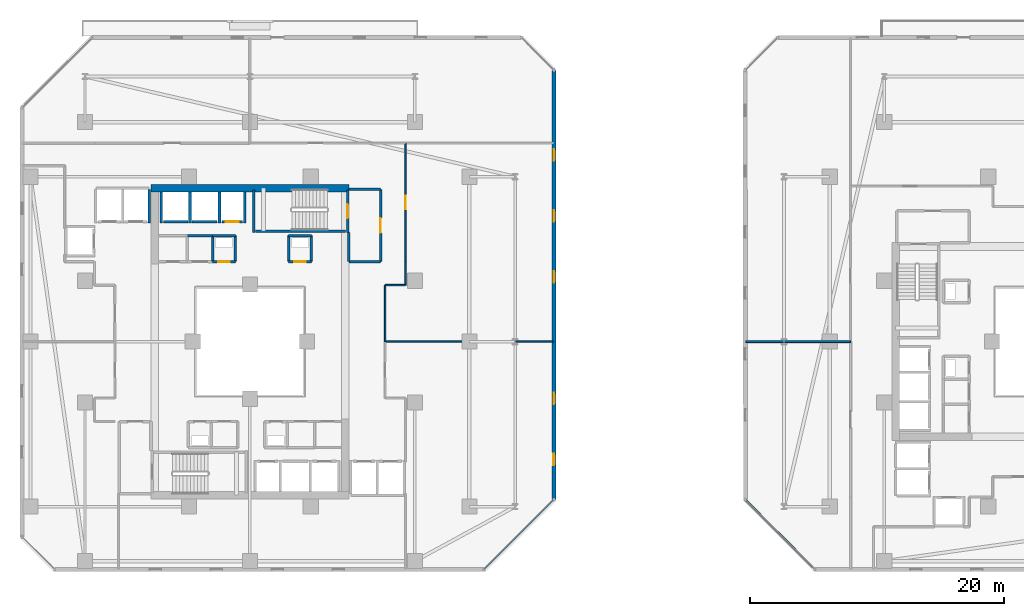
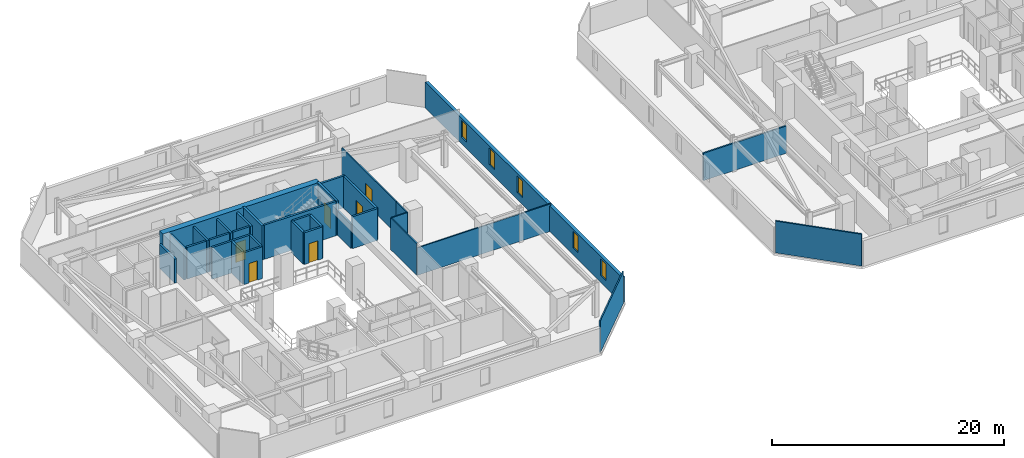
# One storey, part 18 of 29: 34 walls, 6 doors, 5 windows, 11 openings.
"""IFC4 building model written with IfcOpenShell, lengths in metres."""

from ifc_helpers import new_model, si_unit, direction, frame, frame_2d, origin, place, context, subcontext, project, spatial, rectangle, extrude, material, layer, layer_set, type_object, element, fill, save


model = new_model("IFC4")

# Units and contexts
model_context = context("Model", 3, precision=1e-05, world=origin(), true_north=direction((0.0, 1.0)))
body_context = subcontext(model_context, "Body", "Model", "MODEL_VIEW")
ifc_project = project(units=[si_unit("LENGTHUNIT", "METRE"), si_unit("AREAUNIT", "SQUARE_METRE"), si_unit("VOLUMEUNIT", "CUBIC_METRE"), si_unit("PLANEANGLEUNIT", "RADIAN"), si_unit("MASSUNIT", "GRAM", prefix="KILO")], contexts=[model_context])

# Site, building, storey
site_placement = place(None, origin())
site = spatial("IfcSite", under=ifc_project, at=site_placement, CompositionType="ELEMENT")
building_placement = place(site_placement, origin())
building = spatial("IfcBuilding", under=site, at=building_placement, Name="Thornwick Lancets Civic Towers", CompositionType="ELEMENT")
storey_placement = place(building_placement, frame((0.0, 0.0, 83.699951171875)))
storey = spatial("IfcBuildingStorey", under=building, at=storey_placement, Name="L21", CompositionType="ELEMENT", Elevation=83.699951171875)

# Wall, opening, door
ifc_material_1 = material(Name="Concrete blockwork C40/50", Category="masonry")
ifc_layer_1 = layer(ifc_material_1, 0.199951171875, Name="Concrete blockwork C40/50")
ifc_layer_set_1 = layer_set([ifc_layer_1], Name="Concrete blockwork C40/50")
wall_type_1 = type_object("IfcWallType", Name="WALL_COMP_200", PredefinedType="STANDARD", material=ifc_layer_set_1)
wall_1_placement = place(storey_placement, frame((24.919921875, 36.449951171875, 0.0), z_axis=(0.0, 0.0, 1.0), x_axis=(-1.0, 0.0, 0.0)))
wall_1 = element("IfcWall", 1, at=wall_1_placement, inside=storey, type_object=wall_type_1, Name="L21 Hoistway Front Wall FL-A2", PredefinedType="STANDARD", context=body_context, shape_type="SweptSolid", body=[
    extrude(rectangle(XDim=1.639892578125, YDim=0.199951171875, at=frame_2d((0.81982421875, 0.0))), origin(), (0.0, 0.0, 1.0), 3.340087890625),
])
opening_1_placement = place(wall_1_placement, frame((0.31005859375, 0.0, 0.0)))
opening_1 = element("IfcOpeningElement", 2, at=opening_1_placement, cuts=wall_1, Name="Opening LD-FL-A2", PredefinedType="OPENING", context=body_context, shape_type="SweptSolid", body=[
    extrude(rectangle(XDim=1.02001953125, YDim=2.06005859375, at=frame_2d((0.510009765625, 1.030029296875))), frame((0.0, 0.10986328125, 0.0), z_axis=(0.0, -1.0, 0.0), x_axis=(1.0, 0.0, 0.0)), (0.0, 0.0, 1.0), 0.219970703125),
])
ifc_material_2 = material(Name="Brushed bronze stainless steel", Category="steel")
door_type_1 = type_object("IfcDoorType", Name="DOOR_LIFT_SLIDE", OperationType="SLIDING_TO_LEFT", PredefinedType="DOOR", material=ifc_material_2)
door_1_placement = place(opening_1_placement, origin())
door_1 = element("IfcDoor", 3, at=door_1_placement, inside=storey, type_object=door_type_1, Name="L21 Sliding Lift Landing Door LD-FL-A2", OperationType="SLIDING_TO_LEFT", OverallHeight=2.06005859375, OverallWidth=1.02001953125, PredefinedType="DOOR", context=body_context, shape_type="SweptSolid", body=[
    extrude(rectangle(XDim=1.02001953125, YDim=2.06005859375, at=frame_2d((0.510009765625, 1.030029296875))), frame((0.0, 0.02490234375, 0.0), z_axis=(0.0, -1.0, 0.0), x_axis=(1.0, 0.0, 0.0)), (0.0, 0.0, 1.0), 0.050048828125),
])
fill(opening_1, door_1)

# Walls
wall_2_placement = place(storey_placement, frame((22.919921875, 36.449951171875, 0.0), z_axis=(0.0, 0.0, 1.0), x_axis=(-1.0, 0.0, 0.0)))
element("IfcWall", 4, at=wall_2_placement, inside=storey, type_object=wall_type_1, Name="L21 Hoistway Front Wall PL-AH2", PredefinedType="STANDARD", context=body_context, shape_type="SweptSolid", body=[
    extrude(rectangle(XDim=1.989990234375, YDim=0.199951171875, at=frame_2d((0.9951171875, 0.0))), origin(), (0.0, 0.0, 1.0), 3.340087890625),
])
wall_3_placement = place(storey_placement, frame((20.6201171875, 36.449951171875, 0.0), z_axis=(0.0, 0.0, 1.0), x_axis=(-1.0, 0.0, 0.0)))
element("IfcWall", 5, at=wall_3_placement, inside=storey, type_object=wall_type_1, Name="L21 Hoistway Front Wall PL-AH3", PredefinedType="STANDARD", context=body_context, shape_type="SweptSolid", body=[
    extrude(rectangle(XDim=1.940185546875, YDim=0.199951171875, at=frame_2d((0.97021484375, 0.0))), origin(), (0.0, 0.0, 1.0), 3.340087890625),
])
for number, where, z_axis, x_axis, name in (
    (6, (25.10009765625, 36.35205078125, 0.0), (0.0, 0.0, 1.0), (0.0, 1.0, 0.0), "L21 Hoistway Shaft Wall FL-A2 E"),
    (7, (23.10009765625, 36.35205078125, 0.0), (0.0, 0.0, 1.0), (0.0, 1.0, 0.0), "L21 Hoistway Shaft Wall FL-A2 W"),
    (8, (20.77490234375, 36.35205078125, 0.0), (0.0, 0.0, 1.0), (0.0, 1.0, 0.0), "L21 Hoistway Shaft Wall PL-AH2 W"),
    (9, (18.5, 36.35205078125, 0.0), (0.0, 0.0, 1.0), (0.0, 1.0, 0.0), "L21 Hoistway Shaft Wall PL-AH3 W"),
):
    element("IfcWall", number, at=place(storey_placement, frame(where, z_axis=z_axis, x_axis=x_axis)), inside=storey, type_object=wall_type_1, Name=name, PredefinedType="STANDARD", context=body_context, shape_type="SweptSolid", body=[
        extrude(rectangle(XDim=2.43603515625, YDim=0.199951171875, at=frame_2d((1.218017578125, 0.0))), origin(), (0.0, 0.0, 1.0), 3.340087890625),
    ])
wall_4_placement = place(storey_placement, frame((17.550048828125, 36.35205078125, 0.0), z_axis=(0.0, 0.0, 1.0), x_axis=(0.0, 1.0, 0.0)))
element("IfcWall", 10, at=wall_4_placement, inside=storey, type_object=wall_type_1, Name="L21 Hoistway Shaft Wall PL-AM1 E", PredefinedType="STANDARD", context=body_context, shape_type="SweptSolid", body=[
    extrude(rectangle(XDim=2.635986328125, YDim=0.199951171875, at=frame_2d((1.31787109375, 0.0))), origin(), (0.0, 0.0, 1.0), 2.545166015625),
])
wall_5_placement = place(storey_placement, frame((33.300048828125, 33.300048828125, 0.0), z_axis=(0.0, 0.0, 1.0), x_axis=(1.0, 0.0, 0.0)))
element("IfcWall", 11, at=wall_5_placement, inside=storey, type_object=wall_type_1, Name="L21 Partition L21-A-FFLOB2 E1", PredefinedType="STANDARD", context=body_context, shape_type="SweptSolid", body=[
    extrude(rectangle(XDim=2.5, YDim=0.199951171875, at=frame_2d((1.25, 0.0))), origin(), (0.0, 0.0, 1.0), 3.340087890625),
])

# Wall, opening, door
wall_6_placement = place(storey_placement, frame((35.800048828125, 33.300048828125, 0.0), z_axis=(0.0, 0.0, 1.0), x_axis=(0.0, 1.0, 0.0)))
wall_6 = element("IfcWall", 12, at=wall_6_placement, inside=storey, type_object=wall_type_1, Name="L21 Partition L21-A-FFLOB2 E2", PredefinedType="STANDARD", context=body_context, shape_type="SweptSolid", body=[
    extrude(rectangle(XDim=5.699951171875, YDim=0.199951171875, at=frame_2d((2.85009765625, 0.0))), origin(), (0.0, 0.0, 1.0), 3.340087890625),
])
opening_2_placement = place(wall_6_placement, frame((2.27490234375, 0.0, 0.0)))
opening_2 = element("IfcOpeningElement", 13, at=opening_2_placement, cuts=wall_6, Name="Opening D-L21-0970", PredefinedType="OPENING", context=body_context, shape_type="SweptSolid", body=[
    extrude(rectangle(XDim=1.14990234375, YDim=2.10009765625, at=frame_2d((0.574951171875, 1.050048828125))), frame((0.0, 0.10986328125, 0.0), z_axis=(0.0, -1.0, 0.0), x_axis=(1.0, 0.0, 0.0)), (0.0, 0.0, 1.0), 0.219970703125),
])
ifc_material_3 = material(Name="Glazed fire-resisting steel", Category="steel")
door_type_2 = type_object("IfcDoorType", Name="DOOR_LOBBY_FD60", OperationType="NOTDEFINED", PredefinedType="DOOR", material=ifc_material_3)
door_2_placement = place(opening_2_placement, origin())
door_2 = element("IfcDoor", 14, at=door_2_placement, inside=storey, type_object=door_type_2, Name="L21 North Firefighting Lobby 2 Door", OperationType="SINGLE_SWING_LEFT", OverallHeight=2.10009765625, OverallWidth=1.14990234375, PredefinedType="DOOR", context=body_context, shape_type="SweptSolid", body=[
    extrude(rectangle(XDim=1.14990234375, YDim=2.10009765625, at=frame_2d((0.574951171875, 1.050048828125))), frame((0.0, 0.02490234375, 0.0), z_axis=(0.0, -1.0, 0.0), x_axis=(1.0, 0.0, 0.0)), (0.0, 0.0, 1.0), 0.050048828125),
])
fill(opening_2, door_2)

# Walls
wall_7_placement = place(storey_placement, frame((35.800048828125, 39.0, 0.0), z_axis=(0.0, 0.0, 1.0), x_axis=(-1.0, 0.0, 0.0)))
element("IfcWall", 15, at=wall_7_placement, inside=storey, type_object=wall_type_1, Name="L21 Partition L21-A-FFLOB2 E3", PredefinedType="STANDARD", context=body_context, shape_type="SweptSolid", body=[
    extrude(rectangle(XDim=2.5, YDim=0.199951171875, at=frame_2d((1.25, 0.0))), origin(), (0.0, 0.0, 1.0), 3.340087890625),
])
wall_8_placement = place(storey_placement, frame((33.300048828125, 35.60009765625, 0.0), z_axis=(0.0, 0.0, 1.0), x_axis=(0.0, -1.0, 0.0)))
element("IfcWall", 16, at=wall_8_placement, inside=storey, type_object=wall_type_1, Name="L21 Partition L21-A-FFLOB2 E4", PredefinedType="STANDARD", context=body_context, shape_type="SweptSolid", body=[
    extrude(rectangle(XDim=2.300048828125, YDim=0.199951171875, at=frame_2d((1.14990234375, 0.0))), origin(), (0.0, 0.0, 1.0), 2.545166015625),
])

# Wall, opening, door
wall_9_placement = place(storey_placement, frame((22.550048828125, 33.300048828125, 0.0), z_axis=(0.0, 0.0, 1.0), x_axis=(1.0, 0.0, 0.0)))
wall_9 = element("IfcWall", 17, at=wall_9_placement, inside=storey, type_object=wall_type_1, Name="L21 Partition L21-A-DUCT2 E1", PredefinedType="STANDARD", context=body_context, shape_type="SweptSolid", body=[
    extrude(rectangle(XDim=1.800048828125, YDim=0.199951171875, at=frame_2d((0.89990234375, 0.0))), origin(), (0.0, 0.0, 1.0), 3.340087890625),
])
opening_3_placement = place(wall_9_placement, frame((0.4599609375, 0.0, 0.0)))
opening_3 = element("IfcOpeningElement", 18, at=opening_3_placement, cuts=wall_9, Name="Opening D-L21-0973", PredefinedType="OPENING", context=body_context, shape_type="SweptSolid", body=[
    extrude(rectangle(XDim=0.8798828125, YDim=2.0400390625, at=frame_2d((0.43994140625, 1.02001953125))), frame((0.0, 0.10986328125, 0.0), z_axis=(0.0, -1.0, 0.0), x_axis=(1.0, 0.0, 0.0)), (0.0, 0.0, 1.0), 0.219970703125),
])
ifc_material_4 = material(Name="Steel riser access doorset", Category="steel")
door_type_3 = type_object("IfcDoorType", Name="DOOR_RISER_850", OperationType="NOTDEFINED", PredefinedType="DOOR", material=ifc_material_4)
door_3_placement = place(opening_3_placement, origin())
door_3 = element("IfcDoor", 19, at=door_3_placement, inside=storey, type_object=door_type_3, Name="L21 North Service Duct 2 Door", OperationType="SINGLE_SWING_RIGHT", OverallHeight=2.0400390625, OverallWidth=0.8798828125, PredefinedType="DOOR", context=body_context, shape_type="SweptSolid", body=[
    extrude(rectangle(XDim=0.8798828125, YDim=2.0400390625, at=frame_2d((0.43994140625, 1.02001953125))), frame((0.0, 0.02490234375, 0.0), z_axis=(0.0, -1.0, 0.0), x_axis=(1.0, 0.0, 0.0)), (0.0, 0.0, 1.0), 0.050048828125),
])
fill(opening_3, door_3)

# Walls
wall_10_placement = place(storey_placement, frame((24.35009765625, 33.300048828125, 0.0), z_axis=(0.0, 0.0, 1.0), x_axis=(0.0, 1.0, 0.0)))
element("IfcWall", 20, at=wall_10_placement, inside=storey, type_object=wall_type_1, Name="L21 Partition L21-A-DUCT2 E2", PredefinedType="STANDARD", context=body_context, shape_type="SweptSolid", body=[
    extrude(rectangle(XDim=2.050048828125, YDim=0.199951171875, at=frame_2d((1.02490234375, 0.0))), origin(), (0.0, 0.0, 1.0), 3.340087890625),
])
wall_11_placement = place(storey_placement, frame((24.35009765625, 35.35009765625, 0.0), z_axis=(0.0, 0.0, 1.0), x_axis=(-1.0, 0.0, 0.0)))
element("IfcWall", 21, at=wall_11_placement, inside=storey, type_object=wall_type_1, Name="L21 Partition L21-A-DUCT2 E3", PredefinedType="STANDARD", context=body_context, shape_type="SweptSolid", body=[
    extrude(rectangle(XDim=1.800048828125, YDim=0.199951171875, at=frame_2d((0.89990234375, 0.0))), origin(), (0.0, 0.0, 1.0), 3.340087890625),
])
wall_12_placement = place(storey_placement, frame((22.550048828125, 35.35009765625, 0.0), z_axis=(0.0, 0.0, 1.0), x_axis=(0.0, -1.0, 0.0)))
element("IfcWall", 22, at=wall_12_placement, inside=storey, type_object=wall_type_1, Name="L21 Partition L21-A-DUCT2 E4", PredefinedType="STANDARD", context=body_context, shape_type="SweptSolid", body=[
    extrude(rectangle(XDim=2.050048828125, YDim=0.199951171875, at=frame_2d((1.02490234375, 0.0))), origin(), (0.0, 0.0, 1.0), 3.340087890625),
])

# Wall, opening, door
wall_13_placement = place(storey_placement, frame((28.550048828125, 33.300048828125, 0.0), z_axis=(0.0, 0.0, 1.0), x_axis=(1.0, 0.0, 0.0)))
wall_13 = element("IfcWall", 23, at=wall_13_placement, inside=storey, type_object=wall_type_1, Name="L21 Partition L21-A-RISER2 E1", PredefinedType="STANDARD", context=body_context, shape_type="SweptSolid", body=[
    extrude(rectangle(XDim=1.800048828125, YDim=0.199951171875, at=frame_2d((0.89990234375, 0.0))), origin(), (0.0, 0.0, 1.0), 3.340087890625),
])
opening_4_placement = place(wall_13_placement, frame((0.4599609375, 0.0, 0.0)))
opening_4 = element("IfcOpeningElement", 24, at=opening_4_placement, cuts=wall_13, Name="Opening D-L21-0974", PredefinedType="OPENING", context=body_context, shape_type="SweptSolid", body=[
    extrude(rectangle(XDim=0.8798828125, YDim=2.0400390625, at=frame_2d((0.43994140625, 1.02001953125))), frame((0.0, 0.10986328125, 0.0), z_axis=(0.0, -1.0, 0.0), x_axis=(1.0, 0.0, 0.0)), (0.0, 0.0, 1.0), 0.219970703125),
])
door_4_placement = place(opening_4_placement, origin())
door_4 = element("IfcDoor", 25, at=door_4_placement, inside=storey, type_object=door_type_3, Name="L21 North Service Riser 2 Door", OperationType="SINGLE_SWING_LEFT", OverallHeight=2.0400390625, OverallWidth=0.8798828125, PredefinedType="DOOR", context=body_context, shape_type="SweptSolid", body=[
    extrude(rectangle(XDim=0.8798828125, YDim=2.0400390625, at=frame_2d((0.43994140625, 1.02001953125))), frame((0.0, 0.02490234375, 0.0), z_axis=(0.0, -1.0, 0.0), x_axis=(1.0, 0.0, 0.0)), (0.0, 0.0, 1.0), 0.050048828125),
])
fill(opening_4, door_4)

# Walls
wall_14_placement = place(storey_placement, frame((30.35009765625, 33.300048828125, 0.0), z_axis=(0.0, 0.0, 1.0), x_axis=(0.0, 1.0, 0.0)))
element("IfcWall", 26, at=wall_14_placement, inside=storey, type_object=wall_type_1, Name="L21 Partition L21-A-RISER2 E2", PredefinedType="STANDARD", context=body_context, shape_type="SweptSolid", body=[
    extrude(rectangle(XDim=2.050048828125, YDim=0.199951171875, at=frame_2d((1.02490234375, 0.0))), origin(), (0.0, 0.0, 1.0), 3.340087890625),
])
wall_15_placement = place(storey_placement, frame((30.35009765625, 35.35009765625, 0.0), z_axis=(0.0, 0.0, 1.0), x_axis=(-1.0, 0.0, 0.0)))
element("IfcWall", 27, at=wall_15_placement, inside=storey, type_object=wall_type_1, Name="L21 Partition L21-A-RISER2 E3", PredefinedType="STANDARD", context=body_context, shape_type="SweptSolid", body=[
    extrude(rectangle(XDim=1.800048828125, YDim=0.199951171875, at=frame_2d((0.89990234375, 0.0))), origin(), (0.0, 0.0, 1.0), 3.340087890625),
])
wall_16_placement = place(storey_placement, frame((28.550048828125, 35.35009765625, 0.0), z_axis=(0.0, 0.0, 1.0), x_axis=(0.0, -1.0, 0.0)))
element("IfcWall", 28, at=wall_16_placement, inside=storey, type_object=wall_type_1, Name="L21 Partition L21-A-RISER2 E4", PredefinedType="STANDARD", context=body_context, shape_type="SweptSolid", body=[
    extrude(rectangle(XDim=2.050048828125, YDim=0.199951171875, at=frame_2d((1.02490234375, 0.0))), origin(), (0.0, 0.0, 1.0), 3.340087890625),
])
wall_17_placement = place(storey_placement, frame((20.550048828125, 35.35009765625, 0.0), z_axis=(0.0, 0.0, 1.0), x_axis=(1.0, 0.0, 0.0)))
element("IfcWall", 29, at=wall_17_placement, inside=storey, type_object=wall_type_1, Name="L21 Partition L21-A-STR E2", PredefinedType="STANDARD", context=body_context, shape_type="SweptSolid", body=[
    extrude(rectangle(XDim=2.0, YDim=0.199951171875, at=frame_2d((1.0, 0.0))), origin(), (0.0, 0.0, 1.0), 3.340087890625),
])
ifc_material_5 = material(Name="Concrete C60/75", Category="concrete")
ifc_layer_2 = layer(ifc_material_5, 0.60009765625, Name="Concrete C60/75")
ifc_layer_set_2 = layer_set([ifc_layer_2], Name="Concrete C60/75")
wall_type_2 = type_object("IfcWallType", Name="WALL_CORE_600", PredefinedType="SHEAR", material=ifc_layer_set_2)
wall_18_placement = place(storey_placement, frame((17.699951171875, 39.10009765625, 0.0), z_axis=(0.0, 0.0, 1.0), x_axis=(1.0, 0.0, 0.0)))
element("IfcWall", 30, at=wall_18_placement, inside=storey, type_object=wall_type_2, Name="L21 Split Core A2 Shear Wall N", PredefinedType="SHEAR", context=body_context, shape_type="SweptSolid", body=[
    extrude(rectangle(XDim=15.60009765625, YDim=0.60009765625, at=frame_2d((7.800048828125, 0.0))), origin(), (0.0, 0.0, 1.0), 3.60009765625),
])

# Wall, openings, windows
ifc_material_6 = material(Name="Insulated buff terracotta rainscreen on concrete C40/50", Category="masonry")
ifc_layer_3 = layer(ifc_material_6, 0.320068359375, Name="Insulated buff terracotta rainscreen on concrete C40/50")
ifc_layer_set_3 = layer_set([ifc_layer_3], Name="Insulated buff terracotta rainscreen on concrete C40/50")
wall_type_3 = type_object("IfcWallType", Name="WALL_EXT_TERRA_320", PredefinedType="STANDARD", material=ifc_layer_set_3)
wall_19_placement = place(storey_placement, frame((49.455078125, 14.5517578125, 0.0), z_axis=(0.0, 0.0, 1.0), x_axis=(0.000281454314, 0.999999960392, 0.0)))
wall_19 = element("IfcWall", 31, at=wall_19_placement, inside=storey, type_object=wall_type_3, Name="L21 Tower A Terracotta Facade Wall E2", PredefinedType="STANDARD", context=body_context, shape_type="SweptSolid", body=[
    extrude(rectangle(XDim=33.82958984375, YDim=0.320068359375, at=frame_2d((16.914794921875, 0.0))), origin(), (0.0, 0.0, 1.0), 2.699951171875),
])
opening_5_placement = place(wall_19_placement, frame((2.699951171875, 0.0, 0.719970703125)))
opening_5 = element("IfcOpeningElement", 32, at=opening_5_placement, cuts=wall_19, Name="Opening WL-01", PredefinedType="OPENING", context=body_context, shape_type="SweptSolid", body=[
    extrude(rectangle(XDim=0.89990234375, YDim=1.75, at=frame_2d((0.449951171875, 0.875))), frame((0.0, 0.169921875, 0.0), z_axis=(0.0, -1.0, 0.0), x_axis=(1.0, 0.0, 0.0)), (0.0, 0.0, 1.0), 0.340087890625),
])
opening_6_placement = place(wall_19_placement, frame((7.5, 0.0, 0.719970703125)))
opening_6 = element("IfcOpeningElement", 33, at=opening_6_placement, cuts=wall_19, Name="Opening WL-01", PredefinedType="OPENING", context=body_context, shape_type="SweptSolid", body=[
    extrude(rectangle(XDim=0.89990234375, YDim=1.75, at=frame_2d((0.449951171875, 0.875))), frame((0.0, 0.169921875, 0.0), z_axis=(0.0, -1.0, 0.0), x_axis=(1.0, 0.0, 0.0)), (0.0, 0.0, 1.0), 0.340087890625),
])
opening_7_placement = place(wall_19_placement, frame((17.10009765625, 0.0, 0.719970703125)))
opening_7 = element("IfcOpeningElement", 34, at=opening_7_placement, cuts=wall_19, Name="Opening WL-01", PredefinedType="OPENING", context=body_context, shape_type="SweptSolid", body=[
    extrude(rectangle(XDim=0.89990234375, YDim=1.75, at=frame_2d((0.449951171875, 0.875))), frame((0.0, 0.169921875, 0.0), z_axis=(0.0, -1.0, 0.0), x_axis=(1.0, 0.0, 0.0)), (0.0, 0.0, 1.0), 0.340087890625),
])
opening_8_placement = place(wall_19_placement, frame((21.89990234375, 0.0, 0.719970703125)))
opening_8 = element("IfcOpeningElement", 35, at=opening_8_placement, cuts=wall_19, Name="Opening WL-01", PredefinedType="OPENING", context=body_context, shape_type="SweptSolid", body=[
    extrude(rectangle(XDim=0.89990234375, YDim=1.75, at=frame_2d((0.449951171875, 0.875))), frame((0.0, 0.169921875, 0.0), z_axis=(0.0, -1.0, 0.0), x_axis=(1.0, 0.0, 0.0)), (0.0, 0.0, 1.0), 0.340087890625),
])
opening_9_placement = place(wall_19_placement, frame((26.699951171875, 0.0, 0.719970703125)))
opening_9 = element("IfcOpeningElement", 36, at=opening_9_placement, cuts=wall_19, Name="Opening WL-01", PredefinedType="OPENING", context=body_context, shape_type="SweptSolid", body=[
    extrude(rectangle(XDim=0.89990234375, YDim=1.75, at=frame_2d((0.449951171875, 0.875))), frame((0.0, 0.169921875, 0.0), z_axis=(0.0, -1.0, 0.0), x_axis=(1.0, 0.0, 0.0)), (0.0, 0.0, 1.0), 0.340087890625),
])
ifc_material_7 = material(Name="Clear low-e double glazing in bronze frame", Category="glass")
window_type = type_object("IfcWindowType", Name="WIN_LANCET_900", PartitioningType="SINGLE_PANEL", PredefinedType="WINDOW", material=ifc_material_7)
window_1_placement = place(opening_5_placement, origin())
window_1 = element("IfcWindow", 37, at=window_1_placement, inside=storey, type_object=window_type, Name="L21 Tower A Staggered Lancet Window E2-1", OverallHeight=1.75, OverallWidth=0.89990234375, PartitioningType="SINGLE_PANEL", PredefinedType="WINDOW", context=body_context, shape_type="SweptSolid", body=[
    extrude(rectangle(XDim=0.89990234375, YDim=1.75, at=frame_2d((0.449951171875, 0.875))), frame((0.0, 0.030029296875, 0.0), z_axis=(0.0, -1.0, 0.0), x_axis=(1.0, 0.0, 0.0)), (0.0, 0.0, 1.0), 0.06005859375),
])
fill(opening_5, window_1)
window_2_placement = place(opening_6_placement, origin())
window_2 = element("IfcWindow", 38, at=window_2_placement, inside=storey, type_object=window_type, Name="L21 Tower A Staggered Lancet Window E2-2", OverallHeight=1.75, OverallWidth=0.89990234375, PartitioningType="SINGLE_PANEL", PredefinedType="WINDOW", context=body_context, shape_type="SweptSolid", body=[
    extrude(rectangle(XDim=0.89990234375, YDim=1.75, at=frame_2d((0.449951171875, 0.875))), frame((0.0, 0.030029296875, 0.0), z_axis=(0.0, -1.0, 0.0), x_axis=(1.0, 0.0, 0.0)), (0.0, 0.0, 1.0), 0.06005859375),
])
fill(opening_6, window_2)
window_3_placement = place(opening_7_placement, origin())
window_3 = element("IfcWindow", 39, at=window_3_placement, inside=storey, type_object=window_type, Name="L21 Tower A Staggered Lancet Window E2-3", OverallHeight=1.75, OverallWidth=0.89990234375, PartitioningType="SINGLE_PANEL", PredefinedType="WINDOW", context=body_context, shape_type="SweptSolid", body=[
    extrude(rectangle(XDim=0.89990234375, YDim=1.75, at=frame_2d((0.449951171875, 0.875))), frame((0.0, 0.030029296875, 0.0), z_axis=(0.0, -1.0, 0.0), x_axis=(1.0, 0.0, 0.0)), (0.0, 0.0, 1.0), 0.06005859375),
])
fill(opening_7, window_3)
window_4_placement = place(opening_8_placement, origin())
window_4 = element("IfcWindow", 40, at=window_4_placement, inside=storey, type_object=window_type, Name="L21 Tower A Staggered Lancet Window E2-4", OverallHeight=1.75, OverallWidth=0.89990234375, PartitioningType="SINGLE_PANEL", PredefinedType="WINDOW", context=body_context, shape_type="SweptSolid", body=[
    extrude(rectangle(XDim=0.89990234375, YDim=1.75, at=frame_2d((0.449951171875, 0.875))), frame((0.0, 0.030029296875, 0.0), z_axis=(0.0, -1.0, 0.0), x_axis=(1.0, 0.0, 0.0)), (0.0, 0.0, 1.0), 0.06005859375),
])
fill(opening_8, window_4)
window_5_placement = place(opening_9_placement, origin())
window_5 = element("IfcWindow", 41, at=window_5_placement, inside=storey, type_object=window_type, Name="L21 Tower A Staggered Lancet Window E2-5", OverallHeight=1.75, OverallWidth=0.89990234375, PartitioningType="SINGLE_PANEL", PredefinedType="WINDOW", context=body_context, shape_type="SweptSolid", body=[
    extrude(rectangle(XDim=0.89990234375, YDim=1.75, at=frame_2d((0.449951171875, 0.875))), frame((0.0, 0.030029296875, 0.0), z_axis=(0.0, -1.0, 0.0), x_axis=(1.0, 0.0, 0.0)), (0.0, 0.0, 1.0), 0.06005859375),
])
fill(opening_9, window_5)

# Walls
ifc_material_8 = material(Name="Acoustic gypsum board partition")
ifc_layer_4 = layer(ifc_material_8, 0.1201171875, Name="Acoustic gypsum board partition")
ifc_layer_set_4 = layer_set([ifc_layer_4], Name="Acoustic gypsum board partition")
wall_type_4 = type_object("IfcWallType", Name="WALL_PART_120", PredefinedType="PARTITIONING", material=ifc_layer_set_4)
wall_20_placement = place(storey_placement, frame((36.14990234375, 27.0, 0.0), z_axis=(0.0, 0.0, 1.0), x_axis=(1.0, 0.0, 0.0)))
element("IfcWall", 42, at=wall_20_placement, inside=storey, type_object=wall_type_4, Name="L21 Partition L21-A-E1 E5", PredefinedType="PARTITIONING", context=body_context, shape_type="SweptSolid", body=[
    extrude(rectangle(XDim=13.27001953125, YDim=0.1201171875, at=frame_2d((6.635009765625, 0.0))), origin(), (0.0, 0.0, 1.0), 2.881591796875),
])
wall_21_placement = place(storey_placement, frame((49.419921875, 14.51953125, 0.0), z_axis=(0.0, 0.0, 1.0), x_axis=(-0.707106781187, -0.707106781187, 0.0)))
element("IfcWall", 43, at=wall_21_placement, inside=storey, type_object=wall_type_4, Name="L21 Partition L21-A-E1 E7", PredefinedType="PARTITIONING", context=body_context, shape_type="SweptSolid", body=[
    extrude(rectangle(XDim=7.692626953125, YDim=0.1201171875, at=frame_2d((3.84619140625, 0.0))), origin(), (0.0, 0.0, 1.0), 3.340087890625),
])
wall_22_placement = place(storey_placement, frame((36.14990234375, 31.449951171875, 0.0), z_axis=(0.0, 0.0, 1.0), x_axis=(1.0, 0.0, 0.0)))
element("IfcWall", 44, at=wall_22_placement, inside=storey, type_object=wall_type_4, Name="L21 Partition L21-A-E2 E1", PredefinedType="PARTITIONING", context=body_context, shape_type="SweptSolid", body=[
    extrude(rectangle(XDim=1.60009765625, YDim=0.1201171875, at=frame_2d((0.800048828125, 0.0))), origin(), (0.0, 0.0, 1.0), 3.340087890625),
])
wall_23_placement = place(storey_placement, frame((37.75, 31.449951171875, 0.0), z_axis=(0.0, 0.0, 1.0), x_axis=(0.0, 1.0, 0.0)))
element("IfcWall", 45, at=wall_23_placement, inside=storey, type_object=wall_type_4, Name="L21 Partition L21-A-E2 E2", PredefinedType="PARTITIONING", context=body_context, shape_type="SweptSolid", body=[
    extrude(rectangle(XDim=1.85009765625, YDim=0.1201171875, at=frame_2d((0.925048828125, 0.0))), origin(), (0.0, 0.0, 1.0), 3.340087890625),
])

# Wall, opening, door
wall_24_placement = place(storey_placement, frame((37.75, 33.300048828125, 0.0), z_axis=(0.0, 0.0, 1.0), x_axis=(0.0, 1.0, 0.0)))
wall_24 = element("IfcWall", 46, at=wall_24_placement, inside=storey, type_object=wall_type_4, Name="L21 Partition L21-A-E2 E3", PredefinedType="PARTITIONING", context=body_context, shape_type="SweptSolid", body=[
    extrude(rectangle(XDim=9.349853515625, YDim=0.1201171875, at=frame_2d((4.6748046875, 0.0))), origin(), (0.0, 0.0, 1.0), 3.340087890625),
])
opening_10_placement = place(wall_24_placement, frame((4.14990234375, 0.0, 0.0)))
opening_10 = element("IfcOpeningElement", 47, at=opening_10_placement, cuts=wall_24, Name="Opening D-L21-0994", PredefinedType="OPENING", context=body_context, shape_type="SweptSolid", body=[
    extrude(rectangle(XDim=1.050048828125, YDim=2.10009765625, at=frame_2d((0.52490234375, 1.050048828125))), frame((0.0, 0.070068359375, 0.0), z_axis=(0.0, -1.0, 0.0), x_axis=(1.0, 0.0, 0.0)), (0.0, 0.0, 1.0), 0.14013671875),
])
ifc_material_9 = material(Name="Glazed European oak executive doorset")
door_type_4 = type_object("IfcDoorType", Name="DOOR_OFFICE_1050", OperationType="NOTDEFINED", PredefinedType="DOOR", material=ifc_material_9)
door_5_placement = place(opening_10_placement, origin())
door_5 = element("IfcDoor", 48, at=door_5_placement, inside=storey, type_object=door_type_4, Name="L21 Tower A Visitors Reception and Waiting Door", OperationType="SINGLE_SWING_LEFT", OverallHeight=2.10009765625, OverallWidth=1.050048828125, PredefinedType="DOOR", context=body_context, shape_type="SweptSolid", body=[
    extrude(rectangle(XDim=1.050048828125, YDim=2.10009765625, at=frame_2d((0.52490234375, 1.050048828125))), frame((0.0, 0.02490234375, 0.0), z_axis=(0.0, -1.0, 0.0), x_axis=(1.0, 0.0, 0.0)), (0.0, 0.0, 1.0), 0.050048828125),
])
fill(opening_10, door_5)

# Walls
wall_25_placement = place(storey_placement, frame((36.14990234375, 27.0, 0.0), z_axis=(0.0, 0.0, 1.0), x_axis=(0.0, 1.0, 0.0)))
element("IfcWall", 49, at=wall_25_placement, inside=storey, type_object=wall_type_4, Name="L21 Partition L21-A-E2 E7", PredefinedType="PARTITIONING", context=body_context, shape_type="SweptSolid", body=[
    extrude(rectangle(XDim=4.449951171875, YDim=0.1201171875, at=frame_2d((2.22509765625, 0.0))), origin(), (0.0, 0.0, 1.0), 3.340087890625),
])
ifc_material_10 = material(Name="Twin-stud acoustic gypsum board")
ifc_layer_5 = layer(ifc_material_10, 0.14990234375, Name="Twin-stud acoustic gypsum board")
ifc_layer_set_5 = layer_set([ifc_layer_5], Name="Twin-stud acoustic gypsum board")
wall_type_5 = type_object("IfcWallType", Name="WALL_PART_150", PredefinedType="PARTITIONING", material=ifc_layer_set_5)
wall_26_placement = place(storey_placement, frame((70.01953125, 9.080078125, 0.0), z_axis=(0.0, 0.0, 1.0), x_axis=(-0.707106781187, 0.707106781187, 0.0)))
element("IfcWall", 50, at=wall_26_placement, inside=storey, type_object=wall_type_5, Name="L21 Partition L21-B-N-CONF E3", PredefinedType="PARTITIONING", context=body_context, shape_type="SweptSolid", body=[
    extrude(rectangle(XDim=7.692626953125, YDim=0.14990234375, at=frame_2d((3.84619140625, 0.0))), origin(), (0.0, 0.0, 1.0), 3.340087890625),
])
wall_27_placement = place(storey_placement, frame((64.580078125, 27.0, 0.0), z_axis=(0.0, 0.0, 1.0), x_axis=(1.0, 0.0, 0.0)))
element("IfcWall", 51, at=wall_27_placement, inside=storey, type_object=wall_type_5, Name="L21 Partition L21-B-N-CONF E5", PredefinedType="PARTITIONING", context=body_context, shape_type="SweptSolid", body=[
    extrude(rectangle(XDim=8.27001953125, YDim=0.14990234375, at=frame_2d((4.135009765625, 0.0))), origin(), (0.0, 0.0, 1.0), 2.881591796875),
])

# Wall, opening, door
ifc_material_11 = material(Name="Concrete C40/50", Category="concrete")
ifc_layer_6 = layer(ifc_material_11, 0.199951171875, Name="Concrete C40/50")
ifc_layer_set_6 = layer_set([ifc_layer_6], Name="Concrete C40/50")
wall_type_6 = type_object("IfcWallType", Name="WALL_SHAFT_200", PredefinedType="SHEAR", material=ifc_layer_set_6)
wall_28_placement = place(storey_placement, frame((33.199951171875, 38.949951171875, 0.0), z_axis=(0.0, 0.0, 1.0), x_axis=(0.0, -1.0, 0.0)))
wall_28 = element("IfcWall", 52, at=wall_28_placement, inside=storey, type_object=wall_type_6, Name="L21 ST-A2 Fire Stair Core Wall NEAR", PredefinedType="SHEAR", context=body_context, shape_type="SweptSolid", body=[
    extrude(rectangle(XDim=3.349853515625, YDim=0.199951171875, at=frame_2d((1.6748046875, 0.0))), origin(), (0.0, 0.0, 1.0), 3.60009765625),
])
opening_11_placement = place(wall_28_placement, frame((1.125, 0.0, 0.0)))
opening_11 = element("IfcOpeningElement", 53, at=opening_11_placement, cuts=wall_28, Name="Opening D-ST-A2-L21", PredefinedType="OPENING", context=body_context, shape_type="SweptSolid", body=[
    extrude(rectangle(XDim=1.10009765625, YDim=2.10009765625, at=frame_2d((0.550048828125, 1.050048828125))), frame((0.0, 0.10986328125, 0.0), z_axis=(0.0, -1.0, 0.0), x_axis=(1.0, 0.0, 0.0)), (0.0, 0.0, 1.0), 0.219970703125),
])
ifc_material_12 = material(Name="Fire-resisting steel and hardwood", Category="steel")
door_type_5 = type_object("IfcDoorType", Name="DOOR_STAIR_FD60", OperationType="NOTDEFINED", PredefinedType="DOOR", material=ifc_material_12)
door_6_placement = place(opening_11_placement, origin())
door_6 = element("IfcDoor", 54, at=door_6_placement, inside=storey, type_object=door_type_5, Name="L21 ST-A2 Exit Stair Door", OperationType="SINGLE_SWING_LEFT", OverallHeight=2.10009765625, OverallWidth=1.10009765625, PredefinedType="DOOR", context=body_context, shape_type="SweptSolid", body=[
    extrude(rectangle(XDim=1.10009765625, YDim=2.10009765625, at=frame_2d((0.550048828125, 1.050048828125))), frame((0.0, 0.02490234375, 0.0), z_axis=(0.0, -1.0, 0.0), x_axis=(1.0, 0.0, 0.0)), (0.0, 0.0, 1.0), 0.050048828125),
])
fill(opening_11, door_6)

# Walls
wall_29_placement = place(storey_placement, frame((25.800048828125, 35.60009765625, 0.0), z_axis=(0.0, 0.0, 1.0), x_axis=(0.0, 1.0, 0.0)))
element("IfcWall", 55, at=wall_29_placement, inside=storey, type_object=wall_type_6, Name="L21 ST-A2 Fire Stair Core Wall FAR", PredefinedType="SHEAR", context=body_context, shape_type="SweptSolid", body=[
    extrude(rectangle(XDim=3.349853515625, YDim=0.199951171875, at=frame_2d((1.6748046875, 0.0))), origin(), (0.0, 0.0, 1.0), 3.60009765625),
])
wall_30_placement = place(storey_placement, frame((25.949951171875, 35.702880859375, 0.0), z_axis=(0.0, 0.0, 1.0), x_axis=(1.0, 0.0, 0.0)))
element("IfcWall", 56, at=wall_30_placement, inside=storey, type_object=wall_type_6, Name="L21 ST-A2 Fire Stair Core Wall RIGHT", PredefinedType="SHEAR", context=body_context, shape_type="SweptSolid", body=[
    extrude(rectangle(XDim=7.10009765625, YDim=0.199951171875, at=frame_2d((3.550048828125, 0.0))), origin(), (0.0, 0.0, 1.0), 3.60009765625),
])

save(model, "model.ifc")
